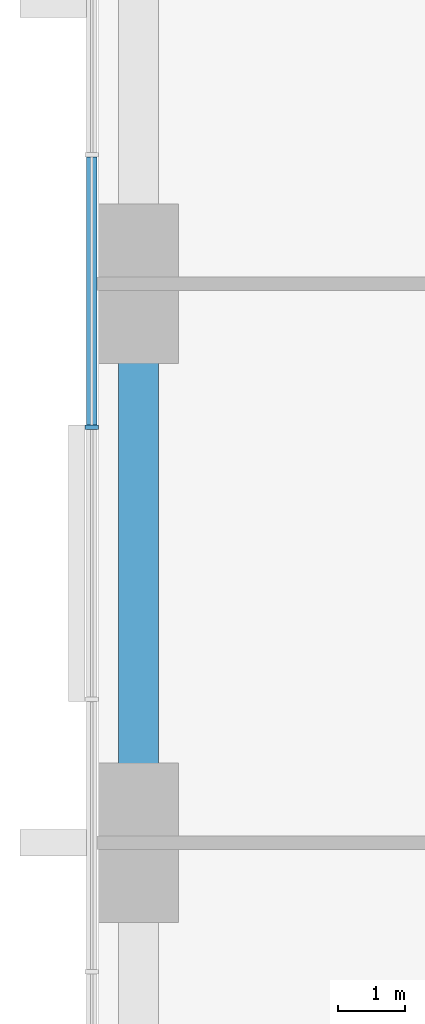
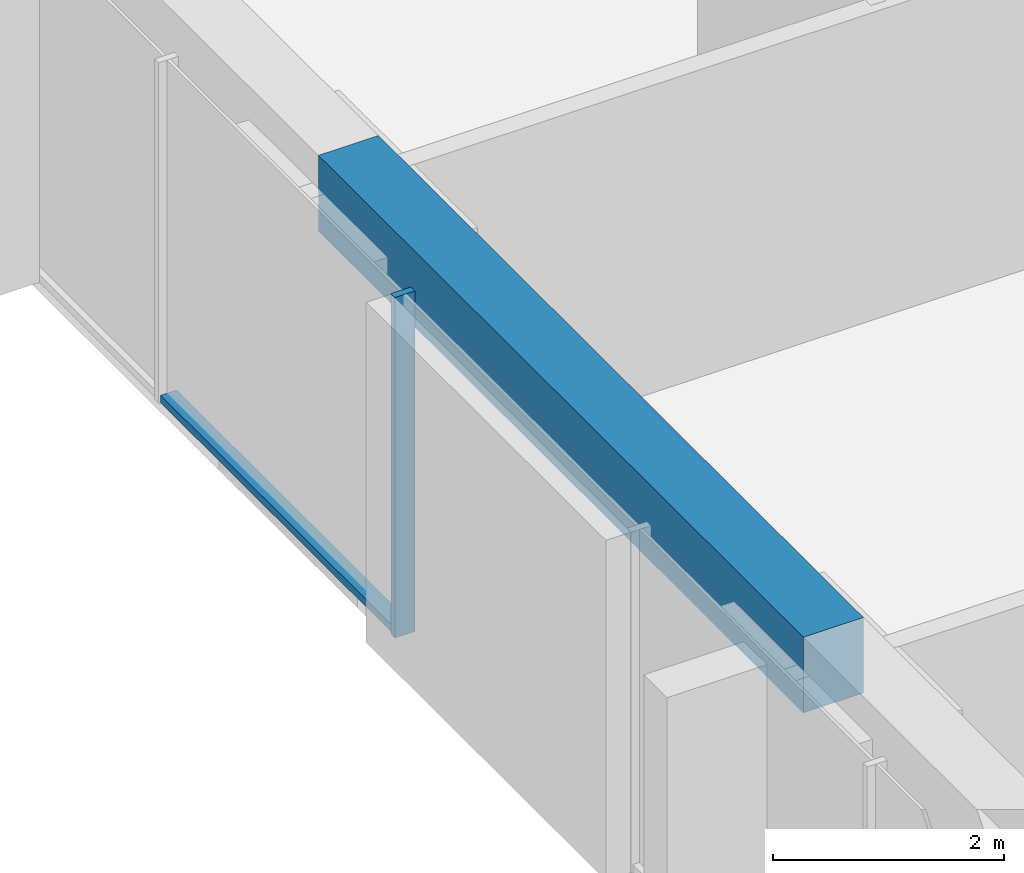
# One storey, part 3 of 13: 2 members, 1 beam, 1 element without a shape of its own.
"""IFC4 building model written with IfcOpenShell, lengths in metres."""

from ifc_helpers import new_model, si_unit, direction, frame, origin, origin_2d, place, context, subcontext, project, spatial, rectangle, extrude, material, material_profile, profile_set, type_object, element, aggregate, save


model = new_model("IFC4")

# Units and contexts
model_context = context("Model", 3, precision=1e-05, world=origin(), true_north=direction((0.0, 1.0)))
body_context = subcontext(model_context, "Body", "Model", "MODEL_VIEW")
ifc_project = project(units=[si_unit("LENGTHUNIT", "METRE"), si_unit("AREAUNIT", "SQUARE_METRE"), si_unit("VOLUMEUNIT", "CUBIC_METRE"), si_unit("PLANEANGLEUNIT", "RADIAN"), si_unit("MASSUNIT", "GRAM", prefix="KILO")], contexts=[model_context])

# Site, building, storey
site_placement = place(None, origin())
site = spatial("IfcSite", under=ifc_project, at=site_placement, CompositionType="ELEMENT")
building_placement = place(site_placement, origin())
building = spatial("IfcBuilding", under=site, at=building_placement, Name="Dunama Terrace Hotel", CompositionType="ELEMENT")
storey_placement = place(building_placement, frame((0.0, 0.0, 191.39990234375)))
storey = spatial("IfcBuildingStorey", under=building, at=storey_placement, Name="L49", CompositionType="ELEMENT", Elevation=191.39990234375)

# Curtain wall, members
ifc_material_1 = material(Name="Aluminium curtain wall system", Category="aluminium")
curtain_wall_type = type_object("IfcCurtainWallType", Name="Unitised fritted glass wall CW-C", PredefinedType="NOTDEFINED", material=ifc_material_1)
curtain_wall_placement = place(storey_placement, origin())
curtain_wall = element("IfcCurtainWall", 1, at=curtain_wall_placement, inside=storey, type_object=curtain_wall_type, Name="Unitised fritted glass wall CW-C L49", PredefinedType="NOTDEFINED")
ifc_material_2 = material(Name="Aluminium mullion", Category="aluminium")
ifc_material_profile_1 = material_profile(ifc_material_2, rectangle(XDim=0.070068359375, YDim=0.199951171875, at=origin_2d()), Name="CWC MULLION 70X200")
ifc_profile_set_1 = profile_set([ifc_material_profile_1], Name="Aluminium mullion")
member_type_1 = type_object("IfcMemberType", Name="CWC mullion 70x200", PredefinedType="MULLION", material=ifc_profile_set_1)
member_1_placement = place(storey_placement, frame((4.10009765625, 31.445068359375, 0.0), z_axis=(0.0, 0.0, 1.0), x_axis=(0.0, -1.0, 0.0)))
member_1 = element("IfcMember", 2, at=member_1_placement, type_object=member_type_1, Name="CWC mullion", PredefinedType="MULLION", context=body_context, shape_type="SweptSolid", body=[
    extrude(rectangle(XDim=0.070068359375, YDim=0.199951171875, at=origin_2d()), origin(), (0.0, 0.0, 1.0), 3.60009765625),
])
ifc_material_3 = material(Name="Aluminium transom", Category="aluminium")
ifc_material_profile_2 = material_profile(ifc_material_3, rectangle(XDim=0.159912109375, YDim=0.080078125, at=origin_2d()), Name="CWC TRANSOM 160X80")
ifc_profile_set_2 = profile_set([ifc_material_profile_2], Name="Aluminium transom")
member_type_2 = type_object("IfcMemberType", Name="CWC transom 160x80", PredefinedType="USERDEFINED", material=ifc_profile_set_2)
member_2_placement = place(storey_placement, frame((4.10009765625, 35.5009765625, 0.0400390625), z_axis=(0.0, -1.0, 0.0), x_axis=(1.0, 0.0, 0.0)))
member_2 = element("IfcMember", 3, at=member_2_placement, type_object=member_type_2, Name="CWC transom", ObjectType="TRANSOM", PredefinedType="USERDEFINED", context=body_context, shape_type="SweptSolid", body=[
    extrude(rectangle(XDim=0.159912109375, YDim=0.080078125, at=origin_2d()), origin(), (0.0, 0.0, 1.0), 4.02099609375),
])
aggregate(curtain_wall, [member_1, member_2])

# Beam
ifc_material_4 = material(Name="Concrete C40/50", Category="concrete")
ifc_material_profile_3 = material_profile(ifc_material_4, rectangle(XDim=0.60009765625, YDim=0.800048828125, at=origin_2d()), Name="RC 600x800")
ifc_profile_set_3 = profile_set([ifc_material_profile_3], Name="Concrete C40/50")
beam_type = type_object("IfcBeamType", Name="Edge beam RC 600x800", PredefinedType="SPANDREL", material=ifc_profile_set_3)
beam_placement = place(storey_placement, frame((4.800048828125, 25.199951171875, 3.2001953125), z_axis=(0.0, 1.0, 0.0), x_axis=(-1.0, 0.0, 0.0)))
element("IfcBeam", 4, at=beam_placement, inside=storey, type_object=beam_type, Name="Edge beam under L50", PredefinedType="SPANDREL", context=body_context, shape_type="SweptSolid", body=[
    extrude(rectangle(XDim=0.60009765625, YDim=0.800048828125, at=origin_2d()), origin(), (0.0, 0.0, 1.0), 8.400146484375),
])

save(model, "model.ifc")
